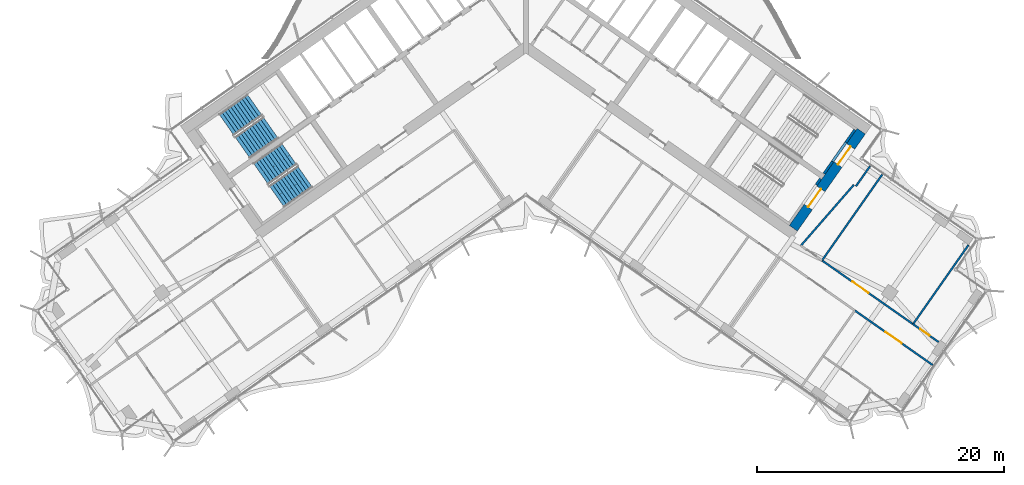
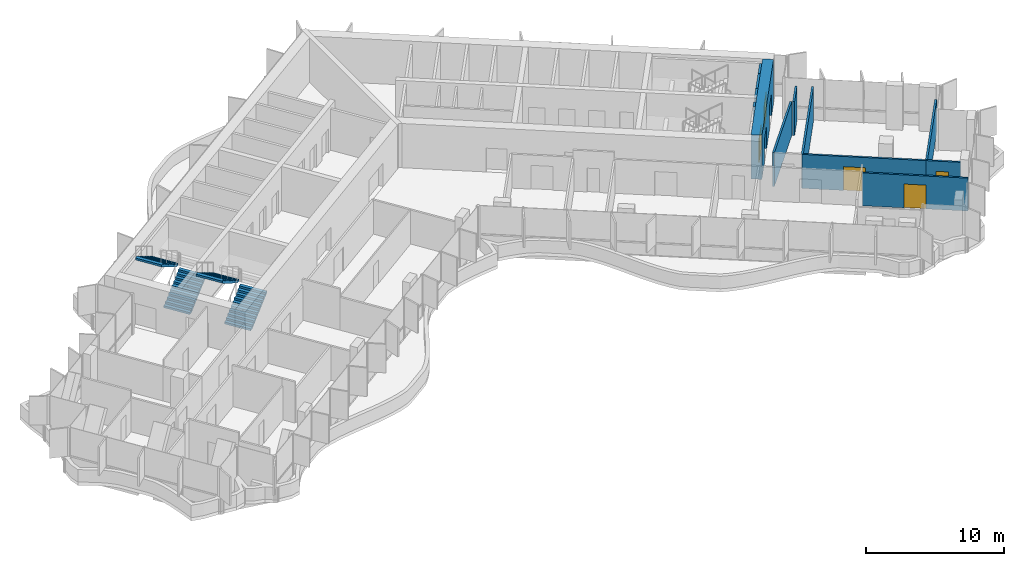
# One storey, part 15 of 21: 12 walls, 5 doors, 4 stair flights, 5 openings, 2 elements without a shape of their own.
"""IFC4 building model written with IfcOpenShell, lengths in metres."""

from ifc_helpers import new_model, si_unit, direction, frame, frame_2d, origin, place, context, subcontext, project, spatial, polyline, rectangle, outline, extrude, material, layer, layer_set, type_object, element, fill, aggregate, save


model = new_model("IFC4")

# Units and contexts
model_context = context("Model", 3, precision=1e-05, world=origin(), true_north=direction((0.0, 1.0)))
body_context = subcontext(model_context, "Body", "Model", "MODEL_VIEW")
ifc_project = project(units=[si_unit("LENGTHUNIT", "METRE"), si_unit("AREAUNIT", "SQUARE_METRE"), si_unit("VOLUMEUNIT", "CUBIC_METRE"), si_unit("PLANEANGLEUNIT", "RADIAN"), si_unit("MASSUNIT", "GRAM", prefix="KILO")], contexts=[model_context])

# Site, building, storey
site_placement = place(None, origin())
site = spatial("IfcSite", under=ifc_project, at=site_placement, CompositionType="ELEMENT")
building_placement = place(site_placement, origin())
building = spatial("IfcBuilding", under=site, at=building_placement, Name="Tel Ilan Convention Tower", CompositionType="ELEMENT")
storey_placement = place(building_placement, frame((0.0, 0.0, 163.199951171875)))
storey = spatial("IfcBuildingStorey", under=building, at=storey_placement, Name="L37", CompositionType="ELEMENT", Elevation=163.199951171875)

# Wall, openings, doors
ifc_material_1 = material(Name="Concrete C50/60", Category="concrete")
ifc_layer_1 = layer(ifc_material_1, 0.800048828125)
ifc_layer_set_1 = layer_set([ifc_layer_1], Name="Core Shear Wall 800 mm C50/60")
wall_type_1 = type_object("IfcWallType", Name="Core Shear Wall 800 mm C50/60", PredefinedType="SHEAR", material=ifc_layer_set_1)
wall_1_placement = place(storey_placement, frame((21.6748046875, -15.4208984375, 0.0), z_axis=(0.0, 0.0, 1.0), x_axis=(0.573581815061, 0.819148278049, 0.0)))
wall_1 = element("IfcWall", 1, at=wall_1_placement, inside=storey, type_object=wall_type_1, Name="L37 core wall E-end", PredefinedType="SHEAR", context=body_context, shape_type="SweptSolid", body=[
    extrude(outline(polyline([(9.599853515625, 0.400146484375), (0.0, 0.39990234375), (0.0, -0.39990234375), (9.599853515625, -0.39990234375), (9.599853515625, 0.400146484375)])), origin(), (0.0, 0.0, 1.0), 3.900146484375),
])
opening_1_placement = place(wall_1_placement, frame((6.300048828125, 0.0, 0.0)))
opening_1 = element("IfcOpeningElement", 2, at=opening_1_placement, cuts=wall_1, Name="Opening SD2903", PredefinedType="OPENING", context=body_context, shape_type="SweptSolid", body=[
    extrude(rectangle(XDim=1.800048828125, YDim=2.10009765625, at=frame_2d((0.89990234375, 1.050048828125))), frame((0.0, 0.409912109375, 0.0), z_axis=(0.0, -1.0, 0.0), x_axis=(1.0, 0.0, 0.0)), (0.0, 0.0, 1.0), 0.820068359375),
])
opening_2_placement = place(wall_1_placement, frame((2.10009765625, 0.0, 0.0)))
opening_2 = element("IfcOpeningElement", 3, at=opening_2_placement, cuts=wall_1, Name="Opening SD2904", PredefinedType="OPENING", context=body_context, shape_type="SweptSolid", body=[
    extrude(rectangle(XDim=1.800048828125, YDim=2.10009765625, at=frame_2d((0.89990234375, 1.050048828125))), frame((0.0, 0.409912109375, 0.0), z_axis=(0.0, -1.0, 0.0), x_axis=(1.0, 0.0, 0.0)), (0.0, 0.0, 1.0), 0.820068359375),
])
ifc_material_2 = material(Name="Galvanised Steel Door Leaf", Category="steel")
door_type_1 = type_object("IfcDoorType", Name="Stair Fire Door 1800 x 2100 FD60S", OperationType="NOTDEFINED", PredefinedType="DOOR", material=ifc_material_2)
door_1_placement = place(opening_1_placement, origin())
door_1 = element("IfcDoor", 4, at=door_1_placement, inside=storey, type_object=door_type_1, Name="Stair S3 door", OperationType="DOUBLE_DOOR_SINGLE_SWING", OverallHeight=2.10009765625, OverallWidth=1.800048828125, PredefinedType="DOOR", context=body_context, shape_type="SweptSolid", body=[
    extrude(rectangle(XDim=1.800048828125, YDim=2.10009765625, at=frame_2d((0.89990234375, 1.050048828125))), frame((0.0, 0.02490234375, 0.0), z_axis=(0.0, -1.0, 0.0), x_axis=(1.0, 0.0, 0.0)), (0.0, 0.0, 1.0), 0.050048828125),
])
fill(opening_1, door_1)
door_2_placement = place(opening_2_placement, origin())
door_2 = element("IfcDoor", 5, at=door_2_placement, inside=storey, type_object=door_type_1, Name="Stair S4 door", OperationType="DOUBLE_DOOR_SINGLE_SWING", OverallHeight=2.10009765625, OverallWidth=1.800048828125, PredefinedType="DOOR", context=body_context, shape_type="SweptSolid", body=[
    extrude(rectangle(XDim=1.800048828125, YDim=2.10009765625, at=frame_2d((0.89990234375, 1.050048828125))), frame((0.0, 0.02490234375, 0.0), z_axis=(0.0, -1.0, 0.0), x_axis=(1.0, 0.0, 0.0)), (0.0, 0.0, 1.0), 0.050048828125),
])
fill(opening_2, door_2)

# Wall, opening, door
ifc_material_3 = material(Name="Plasterboard on Steel Studs", Category="steel")
ifc_layer_2 = layer(ifc_material_3, 0.14990234375)
ifc_layer_set_2 = layer_set([ifc_layer_2], Name="Fire-rated Partition 150 EI 60")
wall_type_2 = type_object("IfcWallType", Name="Fire-rated Partition 150 EI 60", PredefinedType="PARTITIONING", material=ifc_layer_set_2)
wall_2_placement = place(storey_placement, frame((23.999267578125, -18.025390625, 0.0), z_axis=(0.0, 0.0, 1.0), x_axis=(0.819164400877, -0.57355878891, 0.0)))
wall_2 = element("IfcWall", 6, at=wall_2_placement, inside=storey, type_object=wall_type_2, Name="Partition 002", PredefinedType="PARTITIONING", context=body_context, shape_type="SweptSolid", body=[
    extrude(rectangle(XDim=9.00390625, YDim=0.14990234375, at=frame_2d((4.501953125, 0.0))), origin(), (0.0, 0.0, 1.0), 3.0),
])
opening_3_placement = place(wall_2_placement, frame((3.001953125, 0.0, 0.0)))
opening_3 = element("IfcOpeningElement", 7, at=opening_3_placement, cuts=wall_2, Name="Opening L37-020", PredefinedType="OPENING", context=body_context, shape_type="SweptSolid", body=[
    extrude(rectangle(XDim=1.60009765625, YDim=2.10009765625, at=frame_2d((0.800048828125, 1.050048828125))), frame((0.0, 0.0849609375, 0.0), z_axis=(0.0, -1.0, 0.0), x_axis=(1.0, 0.0, 0.0)), (0.0, 0.0, 1.0), 0.169921875),
])
ifc_material_4 = material(Name="Timber Door Leaf in Steel Frame", Category="steel")
door_type_2 = type_object("IfcDoorType", Name="Tenant Suite Entrance Fire Door 1600x2100", OperationType="NOTDEFINED", PredefinedType="DOOR", material=ifc_material_4)
door_3_placement = place(opening_3_placement, origin())
door_3 = element("IfcDoor", 8, at=door_3_placement, inside=storey, type_object=door_type_2, Name="Door L37-020", OperationType="DOUBLE_DOOR_SINGLE_SWING", OverallHeight=2.10009765625, OverallWidth=1.60009765625, PredefinedType="DOOR", context=body_context, shape_type="SweptSolid", body=[
    extrude(rectangle(XDim=1.60009765625, YDim=2.10009765625, at=frame_2d((0.800048828125, 1.050048828125))), frame((0.0, 0.02490234375, 0.0), z_axis=(0.0, -1.0, 0.0), x_axis=(1.0, 0.0, 0.0)), (0.0, 0.0, 1.0), 0.050048828125),
])
fill(opening_3, door_3)

wall_3_placement = place(storey_placement, frame((31.37158203125, -23.1875, 0.0), z_axis=(0.0, 0.0, 1.0), x_axis=(0.819150379241, -0.573578814278, 0.0)))
wall_3 = element("IfcWall", 9, at=wall_3_placement, inside=storey, type_object=wall_type_2, Name="Partition 003", PredefinedType="PARTITIONING", context=body_context, shape_type="SweptSolid", body=[
    extrude(rectangle(XDim=2.5322265625, YDim=0.14990234375, at=frame_2d((1.26611328125, 0.0))), origin(), (0.0, 0.0, 1.0), 3.0),
])
opening_4_placement = place(wall_3_placement, frame((0.716064453125, 0.0, 0.0)))
opening_4 = element("IfcOpeningElement", 10, at=opening_4_placement, cuts=wall_3, Name="Opening L37-021", PredefinedType="OPENING", context=body_context, shape_type="SweptSolid", body=[
    extrude(rectangle(XDim=0.89990234375, YDim=2.10009765625, at=frame_2d((0.449951171875, 1.050048828125))), frame((0.0, 0.0849609375, 0.0), z_axis=(0.0, -1.0, 0.0), x_axis=(1.0, 0.0, 0.0)), (0.0, 0.0, 1.0), 0.169921875),
])
ifc_material_5 = material(Name="Timber Door Leaf in Steel Frame", Category="steel")
door_type_3 = type_object("IfcDoorType", Name="Room Fire Door 900x2100", OperationType="NOTDEFINED", PredefinedType="DOOR", material=ifc_material_5)
door_4_placement = place(opening_4_placement, origin())
door_4 = element("IfcDoor", 11, at=door_4_placement, inside=storey, type_object=door_type_3, Name="Door L37-021", OperationType="SINGLE_SWING_LEFT", OverallHeight=2.10009765625, OverallWidth=0.89990234375, PredefinedType="DOOR", context=body_context, shape_type="SweptSolid", body=[
    extrude(rectangle(XDim=0.89990234375, YDim=2.10009765625, at=frame_2d((0.449951171875, 1.050048828125))), frame((0.0, 0.02490234375, 0.0), z_axis=(0.0, -1.0, 0.0), x_axis=(1.0, 0.0, 0.0)), (0.0, 0.0, 1.0), 0.050048828125),
])
fill(opening_4, door_4)

wall_4_placement = place(storey_placement, frame((32.962158203125, -26.49853515625, 0.0), z_axis=(0.0, 0.0, 1.0), x_axis=(-0.819148517565, 0.573581473003, 0.0)))
wall_4 = element("IfcWall", 12, at=wall_4_placement, inside=storey, type_object=wall_type_2, Name="Partition 009", PredefinedType="PARTITIONING", context=body_context, shape_type="SweptSolid", body=[
    extrude(rectangle(XDim=7.701904296875, YDim=0.14990234375, at=frame_2d((3.85107421875, 0.0))), origin(), (0.0, 0.0, 1.0), 2.900146484375),
])
opening_5_placement = place(wall_4_placement, frame((3.051025390625, 0.0, 0.0)))
opening_5 = element("IfcOpeningElement", 13, at=opening_5_placement, cuts=wall_4, Name="Opening L37-017", PredefinedType="OPENING", context=body_context, shape_type="SweptSolid", body=[
    extrude(rectangle(XDim=1.60009765625, YDim=2.10009765625, at=frame_2d((0.800048828125, 1.050048828125))), frame((0.0, 0.0849609375, 0.0), z_axis=(0.0, -1.0, 0.0), x_axis=(1.0, 0.0, 0.0)), (0.0, 0.0, 1.0), 0.169921875),
])
door_5_placement = place(opening_5_placement, origin())
door_5 = element("IfcDoor", 14, at=door_5_placement, inside=storey, type_object=door_type_2, Name="Door L37-017", OperationType="DOUBLE_DOOR_SINGLE_SWING", OverallHeight=2.10009765625, OverallWidth=1.60009765625, PredefinedType="DOOR", context=body_context, shape_type="SweptSolid", body=[
    extrude(rectangle(XDim=1.60009765625, YDim=2.10009765625, at=frame_2d((0.800048828125, 1.050048828125))), frame((0.0, 0.02490234375, 0.0), z_axis=(0.0, -1.0, 0.0), x_axis=(1.0, 0.0, 0.0)), (0.0, 0.0, 1.0), 0.050048828125),
])
fill(opening_5, door_5)

# Walls
wall_5_placement = place(storey_placement, frame((28.87646484375, -11.063720703125, 0.0), z_axis=(0.0, 0.0, 1.0), x_axis=(-0.573591492816, -0.819141501433, 0.0)))
element("IfcWall", 15, at=wall_5_placement, inside=storey, type_object=wall_type_2, Name="Partition 019", PredefinedType="PARTITIONING", context=body_context, shape_type="SweptSolid", body=[
    extrude(rectangle(XDim=8.5, YDim=0.14990234375, at=frame_2d((4.25, 0.0))), origin(), (0.0, 0.0, 1.0), 3.0),
])
wall_6_placement = place(storey_placement, frame((22.284912109375, -16.82470703125, 0.0), z_axis=(0.0, 0.0, 1.0), x_axis=(0.656781429942, 0.754080999153, 0.0)))
element("IfcWall", 16, at=wall_6_placement, inside=storey, type_object=wall_type_2, Name="Partition 020", PredefinedType="PARTITIONING", context=body_context, shape_type="SweptSolid", body=[
    extrude(rectangle(XDim=6.536376953125, YDim=0.14990234375, at=frame_2d((3.26806640625, 0.0))), origin(), (0.0, 0.0, 1.0), 3.0),
])
wall_7_placement = place(storey_placement, frame((26.74609375, -12.013671875, 0.0), z_axis=(0.0, 0.0, 1.0), x_axis=(0.573568836472, 0.819157365729, 0.0)))
element("IfcWall", 17, at=wall_7_placement, inside=storey, type_object=wall_type_2, Name="Partition 021", PredefinedType="PARTITIONING", context=body_context, shape_type="SweptSolid", body=[
    extrude(rectangle(XDim=2.000244140625, YDim=0.14990234375, at=frame_2d((1.0, 0.0))), origin(), (0.0, 0.0, 1.0), 3.0),
])
wall_8_placement = place(storey_placement, frame((35.864501953125, -16.774658203125, 0.0), z_axis=(0.0, 0.0, 1.0), x_axis=(-0.573579523489, -0.819149882643, 0.0)))
element("IfcWall", 18, at=wall_8_placement, inside=storey, type_object=wall_type_2, Name="Partition 022", PredefinedType="PARTITIONING", context=body_context, shape_type="SweptSolid", body=[
    extrude(rectangle(XDim=7.830078125, YDim=0.14990234375, at=frame_2d((3.9150390625, 0.0))), origin(), (0.0, 0.0, 1.0), 2.900146484375),
])
ifc_material_6 = material(Name="Concrete C30/37", Category="concrete")
ifc_layer_3 = layer(ifc_material_6, 0.199951171875)
ifc_layer_set_3 = layer_set([ifc_layer_3], Name="Stair and Shaft Lining Wall 200 mm C30/37")
wall_type_3 = type_object("IfcWallType", Name="Stair and Shaft Lining Wall 200 mm C30/37", PredefinedType="SOLIDWALL", material=ifc_layer_set_3)
wall_9_placement = place(storey_placement, frame((24.16162109375, -10.99755859375, 0.0), z_axis=(0.0, 0.0, 1.0), x_axis=(0.573612502218, 0.819126789514, 0.0)))
element("IfcWall", 19, at=wall_9_placement, inside=storey, type_object=wall_type_3, Name="L37 core wall lining-S3-u1-0", PredefinedType="SOLIDWALL", context=body_context, shape_type="SweptSolid", body=[
    extrude(rectangle(XDim=1.2001953125, YDim=0.199951171875, at=frame_2d((0.60009765625, 0.0))), origin(), (0.0, 0.0, 1.0), 3.6201171875),
])
wall_10_placement = place(storey_placement, frame((25.939697265625, -8.4580078125, 0.0), z_axis=(0.0, 0.0, 1.0), x_axis=(0.573619628835, 0.819121798889, 0.0)))
element("IfcWall", 20, at=wall_10_placement, inside=storey, type_object=wall_type_3, Name="L37 core wall lining-S3-u1-1", PredefinedType="SOLIDWALL", context=body_context, shape_type="SweptSolid", body=[
    extrude(rectangle(XDim=1.25, YDim=0.199951171875, at=frame_2d((0.625, 0.0))), origin(), (0.0, 0.0, 1.0), 3.6201171875),
])
wall_11_placement = place(storey_placement, frame((24.85009765625, -10.014404296875, 2.150146484375), z_axis=(0.0, 0.0, 1.0), x_axis=(0.573505465124, 0.819201734296, 0.0)))
element("IfcWall", 21, at=wall_11_placement, inside=storey, type_object=wall_type_3, Name="L37 core wall lining-S3-u1-lintel", PredefinedType="SOLIDWALL", context=body_context, shape_type="SweptSolid", body=[
    extrude(rectangle(XDim=1.89990234375, YDim=0.199951171875, at=frame_2d((0.949951171875, 0.0))), origin(), (0.0, 0.0, 1.0), 1.469970703125),
])
wall_12_placement = place(storey_placement, frame((23.53076171875, -11.8984375, 0.0), z_axis=(0.0, 0.0, 1.0), x_axis=(0.573708088123, 0.819059844958, 0.0)))
element("IfcWall", 22, at=wall_12_placement, inside=storey, type_object=wall_type_3, Name="L37 core wall lining-S4-u1-1", PredefinedType="SOLIDWALL", context=body_context, shape_type="SweptSolid", body=[
    extrude(rectangle(XDim=0.60009765625, YDim=0.199951171875, at=frame_2d((0.300048828125, 0.0))), origin(), (0.0, 0.0, 1.0), 3.6201171875),
])

# Stair, stair flights
ifc_material_7 = material(Name="Concrete C40/50", Category="concrete")
stair_type = type_object("IfcStairType", Name="Pressurised Exit Stair 22 risers 177 mm", PredefinedType="HALF_TURN_STAIR", material=ifc_material_7)
stair_1_placement = place(storey_placement, origin())
stair_1 = element("IfcStair", 23, at=stair_1_placement, inside=storey, type_object=stair_type, Name="L37 Pressurised Stair S1", PredefinedType="HALF_TURN_STAIR")
ifc_material_8 = material(Name="Precast Concrete C40/50", Category="concrete")
stair_flight_type = type_object("IfcStairFlightType", Name="Concrete Stair Flight 2100 mm 22 risers 177 mm", PredefinedType="STRAIGHT", material=ifc_material_8)
stair_flight_1_placement = place(storey_placement, frame((-22.9619140625, -8.87548828125, 0.0), z_axis=(0.0, 0.0, 1.0), x_axis=(0.819152044289, 0.573576436351, 0.0)))
stair_flight_1 = element("IfcStairFlight", 24, at=stair_flight_1_placement, type_object=stair_flight_type, Name="S1 flight 1", NumberOfRisers=11, NumberOfTreads=10, PredefinedType="STRAIGHT", RiserHeight=0.177272727, TreadLength=0.28, context=body_context, shape_type="SweptSolid", body=[
    extrude(outline(polyline([(0.0, 0.0), (0.0, 0.17724609375), (0.280029296875, 0.17724609375), (0.280029296875, 0.3544921875), (0.56005859375, 0.3544921875), (0.56005859375, 0.53173828125), (0.840087890625, 0.53173828125), (0.840087890625, 0.708984375), (1.1201171875, 0.708984375), (1.1201171875, 0.886474609375), (1.39990234375, 0.886474609375), (1.39990234375, 1.063720703125), (1.679931640625, 1.063720703125), (1.679931640625, 1.240966796875), (1.9599609375, 1.240966796875), (1.9599609375, 1.418212890625), (2.239990234375, 1.418212890625), (2.239990234375, 1.595458984375), (2.52001953125, 1.595458984375), (2.52001953125, 1.772705078125), (2.800048828125, 1.772705078125), (2.800048828125, 1.949951171875), (2.800048828125, 1.59521484375), (0.2802734375, 0.0), (0.0, 0.0)])), frame((0.0, -0.100341796875, 0.0), z_axis=(0.0, -1.0, 0.0), x_axis=(1.0, 0.0, 0.0)), (0.0, 0.0, 1.0), 0.94970703125),
    extrude(outline(polyline([(0.0, 0.0), (0.0, 0.17724609375), (0.280029296875, 0.17724609375), (0.280029296875, 0.3544921875), (0.56005859375, 0.3544921875), (0.56005859375, 0.53173828125), (0.840087890625, 0.53173828125), (0.840087890625, 0.708984375), (1.1201171875, 0.708984375), (1.1201171875, 0.886474609375), (1.39990234375, 0.886474609375), (1.39990234375, 1.063720703125), (1.679931640625, 1.063720703125), (1.679931640625, 1.240966796875), (1.9599609375, 1.240966796875), (1.9599609375, 1.418212890625), (2.239990234375, 1.418212890625), (2.239990234375, 1.595458984375), (2.52001953125, 1.595458984375), (2.52001953125, 1.772705078125), (2.800048828125, 1.772705078125), (2.800048828125, 1.949951171875), (2.800048828125, 1.59521484375), (0.2802734375, 0.0), (0.0, 0.0)])), frame((0.0, -0.000244140625, 0.0), z_axis=(0.0, -1.0, 0.0), x_axis=(1.0, 0.0, 0.0)), (0.0, 0.0, 1.0), 0.099609375),
    extrude(outline(polyline([(0.0, 0.0), (0.0, 0.17724609375), (0.280029296875, 0.17724609375), (0.280029296875, 0.3544921875), (0.56005859375, 0.3544921875), (0.56005859375, 0.53173828125), (0.840087890625, 0.53173828125), (0.840087890625, 0.708984375), (1.1201171875, 0.708984375), (1.1201171875, 0.886474609375), (1.39990234375, 0.886474609375), (1.39990234375, 1.063720703125), (1.679931640625, 1.063720703125), (1.679931640625, 1.240966796875), (1.9599609375, 1.240966796875), (1.9599609375, 1.418212890625), (2.239990234375, 1.418212890625), (2.239990234375, 1.595458984375), (2.52001953125, 1.595458984375), (2.52001953125, 1.772705078125), (2.800048828125, 1.772705078125), (2.800048828125, 1.949951171875), (2.800048828125, 1.59521484375), (0.2802734375, 0.0), (0.0, 0.0)])), frame((0.0, 0.099853515625, 0.0), z_axis=(0.0, -1.0, 0.0), x_axis=(1.0, 0.0, 0.0)), (0.0, 0.0, 1.0), 0.099609375),
    extrude(outline(polyline([(0.0, 0.0), (0.0, 0.17724609375), (0.280029296875, 0.17724609375), (0.280029296875, 0.3544921875), (0.56005859375, 0.3544921875), (0.56005859375, 0.53173828125), (0.840087890625, 0.53173828125), (0.840087890625, 0.708984375), (1.1201171875, 0.708984375), (1.1201171875, 0.886474609375), (1.39990234375, 0.886474609375), (1.39990234375, 1.063720703125), (1.679931640625, 1.063720703125), (1.679931640625, 1.240966796875), (1.9599609375, 1.240966796875), (1.9599609375, 1.418212890625), (2.239990234375, 1.418212890625), (2.239990234375, 1.595458984375), (2.52001953125, 1.595458984375), (2.52001953125, 1.772705078125), (2.800048828125, 1.772705078125), (2.800048828125, 1.949951171875), (2.800048828125, 1.59521484375), (0.2802734375, 0.0), (0.0, 0.0)])), frame((0.0, 1.050048828125, 0.0), z_axis=(0.0, -1.0, 0.0), x_axis=(1.0, 0.0, 0.0)), (0.0, 0.0, 1.0), 0.94970703125),
])
stair_flight_2_placement = place(storey_placement, frame((-21.958740234375, -5.42626953125, 1.949951171875), z_axis=(0.0, 0.0, 1.0), x_axis=(-0.819152044289, -0.573576436351, 0.0)))
stair_flight_2 = element("IfcStairFlight", 25, at=stair_flight_2_placement, type_object=stair_flight_type, Name="S1 flight 2", NumberOfRisers=11, NumberOfTreads=10, PredefinedType="STRAIGHT", RiserHeight=0.177272727, TreadLength=0.28, context=body_context, shape_type="SweptSolid", body=[
    extrude(outline(polyline([(0.0, 0.0), (0.0, 0.17724609375), (0.280029296875, 0.17724609375), (0.280029296875, 0.3544921875), (0.56005859375, 0.3544921875), (0.56005859375, 0.53173828125), (0.840087890625, 0.53173828125), (0.840087890625, 0.708984375), (1.1201171875, 0.708984375), (1.1201171875, 0.886474609375), (1.39990234375, 0.886474609375), (1.39990234375, 1.063720703125), (1.679931640625, 1.063720703125), (1.679931640625, 1.240966796875), (1.9599609375, 1.240966796875), (1.9599609375, 1.418212890625), (2.239990234375, 1.418212890625), (2.239990234375, 1.595458984375), (2.52001953125, 1.595458984375), (2.52001953125, 1.772705078125), (2.800048828125, 1.772705078125), (2.800048828125, 1.949951171875), (2.800048828125, 1.59521484375), (0.2802734375, 0.0), (0.0, 0.0)])), frame((0.0, -0.100341796875, 0.0), z_axis=(0.0, -1.0, 0.0), x_axis=(1.0, 0.0, 0.0)), (0.0, 0.0, 1.0), 0.94970703125),
    extrude(outline(polyline([(0.0, 0.0), (0.0, 0.17724609375), (0.280029296875, 0.17724609375), (0.280029296875, 0.3544921875), (0.56005859375, 0.3544921875), (0.56005859375, 0.53173828125), (0.840087890625, 0.53173828125), (0.840087890625, 0.708984375), (1.1201171875, 0.708984375), (1.1201171875, 0.886474609375), (1.39990234375, 0.886474609375), (1.39990234375, 1.063720703125), (1.679931640625, 1.063720703125), (1.679931640625, 1.240966796875), (1.9599609375, 1.240966796875), (1.9599609375, 1.418212890625), (2.239990234375, 1.418212890625), (2.239990234375, 1.595458984375), (2.52001953125, 1.595458984375), (2.52001953125, 1.772705078125), (2.800048828125, 1.772705078125), (2.800048828125, 1.949951171875), (2.800048828125, 1.59521484375), (0.2802734375, 0.0), (0.0, 0.0)])), frame((0.0, -0.000244140625, 0.0), z_axis=(0.0, -1.0, 0.0), x_axis=(1.0, 0.0, 0.0)), (0.0, 0.0, 1.0), 0.099609375),
    extrude(outline(polyline([(0.0, 0.0), (0.0, 0.17724609375), (0.280029296875, 0.17724609375), (0.280029296875, 0.3544921875), (0.56005859375, 0.3544921875), (0.56005859375, 0.53173828125), (0.840087890625, 0.53173828125), (0.840087890625, 0.708984375), (1.1201171875, 0.708984375), (1.1201171875, 0.886474609375), (1.39990234375, 0.886474609375), (1.39990234375, 1.063720703125), (1.679931640625, 1.063720703125), (1.679931640625, 1.240966796875), (1.9599609375, 1.240966796875), (1.9599609375, 1.418212890625), (2.239990234375, 1.418212890625), (2.239990234375, 1.595458984375), (2.52001953125, 1.595458984375), (2.52001953125, 1.772705078125), (2.800048828125, 1.772705078125), (2.800048828125, 1.949951171875), (2.800048828125, 1.59521484375), (0.2802734375, 0.0), (0.0, 0.0)])), frame((0.0, 0.099853515625, 0.0), z_axis=(0.0, -1.0, 0.0), x_axis=(1.0, 0.0, 0.0)), (0.0, 0.0, 1.0), 0.099609375),
    extrude(outline(polyline([(0.0, 0.0), (0.0, 0.17724609375), (0.280029296875, 0.17724609375), (0.280029296875, 0.3544921875), (0.56005859375, 0.3544921875), (0.56005859375, 0.53173828125), (0.840087890625, 0.53173828125), (0.840087890625, 0.708984375), (1.1201171875, 0.708984375), (1.1201171875, 0.886474609375), (1.39990234375, 0.886474609375), (1.39990234375, 1.063720703125), (1.679931640625, 1.063720703125), (1.679931640625, 1.240966796875), (1.9599609375, 1.240966796875), (1.9599609375, 1.418212890625), (2.239990234375, 1.418212890625), (2.239990234375, 1.595458984375), (2.52001953125, 1.595458984375), (2.52001953125, 1.772705078125), (2.800048828125, 1.772705078125), (2.800048828125, 1.949951171875), (2.800048828125, 1.59521484375), (0.2802734375, 0.0), (0.0, 0.0)])), frame((0.0, 1.050048828125, 0.0), z_axis=(0.0, -1.0, 0.0), x_axis=(1.0, 0.0, 0.0)), (0.0, 0.0, 1.0), 0.94970703125),
])
aggregate(stair_1, [stair_flight_1, stair_flight_2])

stair_2_placement = place(storey_placement, origin())
stair_2 = element("IfcStair", 26, at=stair_2_placement, inside=storey, type_object=stair_type, Name="L37 Pressurised Stair S2", PredefinedType="HALF_TURN_STAIR")
stair_flight_3_placement = place(storey_placement, frame((-20.179931640625, -12.848388671875, 0.0), z_axis=(0.0, 0.0, 1.0), x_axis=(0.819152044289, 0.573576436351, 0.0)))
stair_flight_3 = element("IfcStairFlight", 27, at=stair_flight_3_placement, type_object=stair_flight_type, Name="S2 flight 1", NumberOfRisers=11, NumberOfTreads=10, PredefinedType="STRAIGHT", RiserHeight=0.177272727, TreadLength=0.28, context=body_context, shape_type="SweptSolid", body=[
    extrude(outline(polyline([(0.0, 0.0), (0.0, 0.17724609375), (0.280029296875, 0.17724609375), (0.280029296875, 0.3544921875), (0.56005859375, 0.3544921875), (0.56005859375, 0.53173828125), (0.840087890625, 0.53173828125), (0.840087890625, 0.708984375), (1.1201171875, 0.708984375), (1.1201171875, 0.886474609375), (1.39990234375, 0.886474609375), (1.39990234375, 1.063720703125), (1.679931640625, 1.063720703125), (1.679931640625, 1.240966796875), (1.9599609375, 1.240966796875), (1.9599609375, 1.418212890625), (2.239990234375, 1.418212890625), (2.239990234375, 1.595458984375), (2.52001953125, 1.595458984375), (2.52001953125, 1.772705078125), (2.800048828125, 1.772705078125), (2.800048828125, 1.949951171875), (2.800048828125, 1.59521484375), (0.2802734375, 0.0), (0.0, 0.0)])), frame((0.0, -0.100341796875, 0.0), z_axis=(0.0, -1.0, 0.0), x_axis=(1.0, 0.0, 0.0)), (0.0, 0.0, 1.0), 0.94970703125),
    extrude(outline(polyline([(0.0, 0.0), (0.0, 0.17724609375), (0.280029296875, 0.17724609375), (0.280029296875, 0.3544921875), (0.56005859375, 0.3544921875), (0.56005859375, 0.53173828125), (0.840087890625, 0.53173828125), (0.840087890625, 0.708984375), (1.1201171875, 0.708984375), (1.1201171875, 0.886474609375), (1.39990234375, 0.886474609375), (1.39990234375, 1.063720703125), (1.679931640625, 1.063720703125), (1.679931640625, 1.240966796875), (1.9599609375, 1.240966796875), (1.9599609375, 1.418212890625), (2.239990234375, 1.418212890625), (2.239990234375, 1.595458984375), (2.52001953125, 1.595458984375), (2.52001953125, 1.772705078125), (2.800048828125, 1.772705078125), (2.800048828125, 1.949951171875), (2.800048828125, 1.59521484375), (0.2802734375, 0.0), (0.0, 0.0)])), frame((0.0, -0.000244140625, 0.0), z_axis=(0.0, -1.0, 0.0), x_axis=(1.0, 0.0, 0.0)), (0.0, 0.0, 1.0), 0.099609375),
    extrude(outline(polyline([(0.0, 0.0), (0.0, 0.17724609375), (0.280029296875, 0.17724609375), (0.280029296875, 0.3544921875), (0.56005859375, 0.3544921875), (0.56005859375, 0.53173828125), (0.840087890625, 0.53173828125), (0.840087890625, 0.708984375), (1.1201171875, 0.708984375), (1.1201171875, 0.886474609375), (1.39990234375, 0.886474609375), (1.39990234375, 1.063720703125), (1.679931640625, 1.063720703125), (1.679931640625, 1.240966796875), (1.9599609375, 1.240966796875), (1.9599609375, 1.418212890625), (2.239990234375, 1.418212890625), (2.239990234375, 1.595458984375), (2.52001953125, 1.595458984375), (2.52001953125, 1.772705078125), (2.800048828125, 1.772705078125), (2.800048828125, 1.949951171875), (2.800048828125, 1.59521484375), (0.2802734375, 0.0), (0.0, 0.0)])), frame((0.0, 0.099853515625, 0.0), z_axis=(0.0, -1.0, 0.0), x_axis=(1.0, 0.0, 0.0)), (0.0, 0.0, 1.0), 0.099609375),
    extrude(outline(polyline([(0.0, 0.0), (0.0, 0.17724609375), (0.280029296875, 0.17724609375), (0.280029296875, 0.3544921875), (0.56005859375, 0.3544921875), (0.56005859375, 0.53173828125), (0.840087890625, 0.53173828125), (0.840087890625, 0.708984375), (1.1201171875, 0.708984375), (1.1201171875, 0.886474609375), (1.39990234375, 0.886474609375), (1.39990234375, 1.063720703125), (1.679931640625, 1.063720703125), (1.679931640625, 1.240966796875), (1.9599609375, 1.240966796875), (1.9599609375, 1.418212890625), (2.239990234375, 1.418212890625), (2.239990234375, 1.595458984375), (2.52001953125, 1.595458984375), (2.52001953125, 1.772705078125), (2.800048828125, 1.772705078125), (2.800048828125, 1.949951171875), (2.800048828125, 1.59521484375), (0.2802734375, 0.0), (0.0, 0.0)])), frame((0.0, 1.050048828125, 0.0), z_axis=(0.0, -1.0, 0.0), x_axis=(1.0, 0.0, 0.0)), (0.0, 0.0, 1.0), 0.94970703125),
])
stair_flight_4_placement = place(storey_placement, frame((-19.177001953125, -9.399169921875, 1.949951171875), z_axis=(0.0, 0.0, 1.0), x_axis=(-0.819152044289, -0.573576436351, 0.0)))
stair_flight_4 = element("IfcStairFlight", 28, at=stair_flight_4_placement, type_object=stair_flight_type, Name="S2 flight 2", NumberOfRisers=11, NumberOfTreads=10, PredefinedType="STRAIGHT", RiserHeight=0.177272727, TreadLength=0.28, context=body_context, shape_type="SweptSolid", body=[
    extrude(outline(polyline([(0.0, 0.0), (0.0, 0.17724609375), (0.280029296875, 0.17724609375), (0.280029296875, 0.3544921875), (0.56005859375, 0.3544921875), (0.56005859375, 0.53173828125), (0.840087890625, 0.53173828125), (0.840087890625, 0.708984375), (1.1201171875, 0.708984375), (1.1201171875, 0.886474609375), (1.39990234375, 0.886474609375), (1.39990234375, 1.063720703125), (1.679931640625, 1.063720703125), (1.679931640625, 1.240966796875), (1.9599609375, 1.240966796875), (1.9599609375, 1.418212890625), (2.239990234375, 1.418212890625), (2.239990234375, 1.595458984375), (2.52001953125, 1.595458984375), (2.52001953125, 1.772705078125), (2.800048828125, 1.772705078125), (2.800048828125, 1.949951171875), (2.800048828125, 1.59521484375), (0.2802734375, 0.0), (0.0, 0.0)])), frame((0.0, -0.100341796875, 0.0), z_axis=(0.0, -1.0, 0.0), x_axis=(1.0, 0.0, 0.0)), (0.0, 0.0, 1.0), 0.94970703125),
    extrude(outline(polyline([(0.0, 0.0), (0.0, 0.17724609375), (0.280029296875, 0.17724609375), (0.280029296875, 0.3544921875), (0.56005859375, 0.3544921875), (0.56005859375, 0.53173828125), (0.840087890625, 0.53173828125), (0.840087890625, 0.708984375), (1.1201171875, 0.708984375), (1.1201171875, 0.886474609375), (1.39990234375, 0.886474609375), (1.39990234375, 1.063720703125), (1.679931640625, 1.063720703125), (1.679931640625, 1.240966796875), (1.9599609375, 1.240966796875), (1.9599609375, 1.418212890625), (2.239990234375, 1.418212890625), (2.239990234375, 1.595458984375), (2.52001953125, 1.595458984375), (2.52001953125, 1.772705078125), (2.800048828125, 1.772705078125), (2.800048828125, 1.949951171875), (2.800048828125, 1.59521484375), (0.2802734375, 0.0), (0.0, 0.0)])), frame((0.0, -0.000244140625, 0.0), z_axis=(0.0, -1.0, 0.0), x_axis=(1.0, 0.0, 0.0)), (0.0, 0.0, 1.0), 0.099609375),
    extrude(outline(polyline([(0.0, 0.0), (0.0, 0.17724609375), (0.280029296875, 0.17724609375), (0.280029296875, 0.3544921875), (0.56005859375, 0.3544921875), (0.56005859375, 0.53173828125), (0.840087890625, 0.53173828125), (0.840087890625, 0.708984375), (1.1201171875, 0.708984375), (1.1201171875, 0.886474609375), (1.39990234375, 0.886474609375), (1.39990234375, 1.063720703125), (1.679931640625, 1.063720703125), (1.679931640625, 1.240966796875), (1.9599609375, 1.240966796875), (1.9599609375, 1.418212890625), (2.239990234375, 1.418212890625), (2.239990234375, 1.595458984375), (2.52001953125, 1.595458984375), (2.52001953125, 1.772705078125), (2.800048828125, 1.772705078125), (2.800048828125, 1.949951171875), (2.800048828125, 1.59521484375), (0.2802734375, 0.0), (0.0, 0.0)])), frame((0.0, 0.099853515625, 0.0), z_axis=(0.0, -1.0, 0.0), x_axis=(1.0, 0.0, 0.0)), (0.0, 0.0, 1.0), 0.099609375),
    extrude(outline(polyline([(0.0, 0.0), (0.0, 0.17724609375), (0.280029296875, 0.17724609375), (0.280029296875, 0.3544921875), (0.56005859375, 0.3544921875), (0.56005859375, 0.53173828125), (0.840087890625, 0.53173828125), (0.840087890625, 0.708984375), (1.1201171875, 0.708984375), (1.1201171875, 0.886474609375), (1.39990234375, 0.886474609375), (1.39990234375, 1.063720703125), (1.679931640625, 1.063720703125), (1.679931640625, 1.240966796875), (1.9599609375, 1.240966796875), (1.9599609375, 1.418212890625), (2.239990234375, 1.418212890625), (2.239990234375, 1.595458984375), (2.52001953125, 1.595458984375), (2.52001953125, 1.772705078125), (2.800048828125, 1.772705078125), (2.800048828125, 1.949951171875), (2.800048828125, 1.59521484375), (0.2802734375, 0.0), (0.0, 0.0)])), frame((0.0, 1.050048828125, 0.0), z_axis=(0.0, -1.0, 0.0), x_axis=(1.0, 0.0, 0.0)), (0.0, 0.0, 1.0), 0.94970703125),
])
aggregate(stair_2, [stair_flight_3, stair_flight_4])

save(model, "model.ifc")
